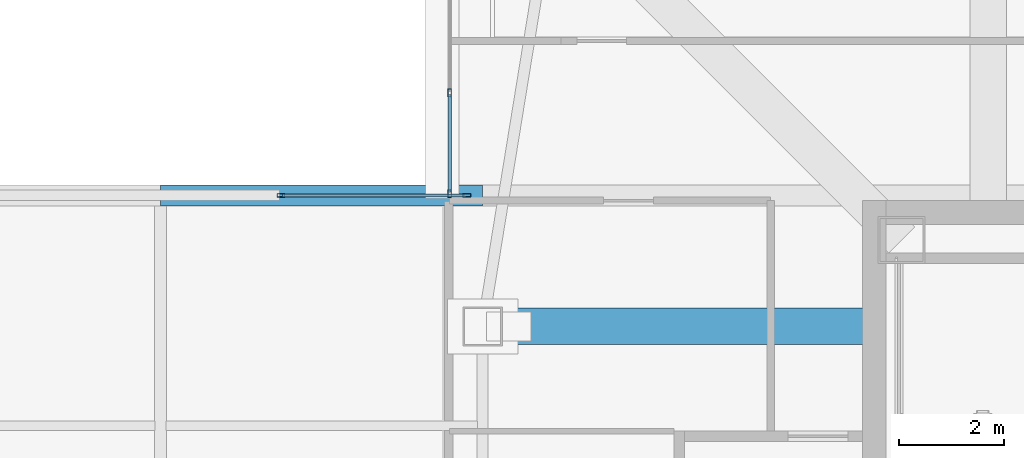
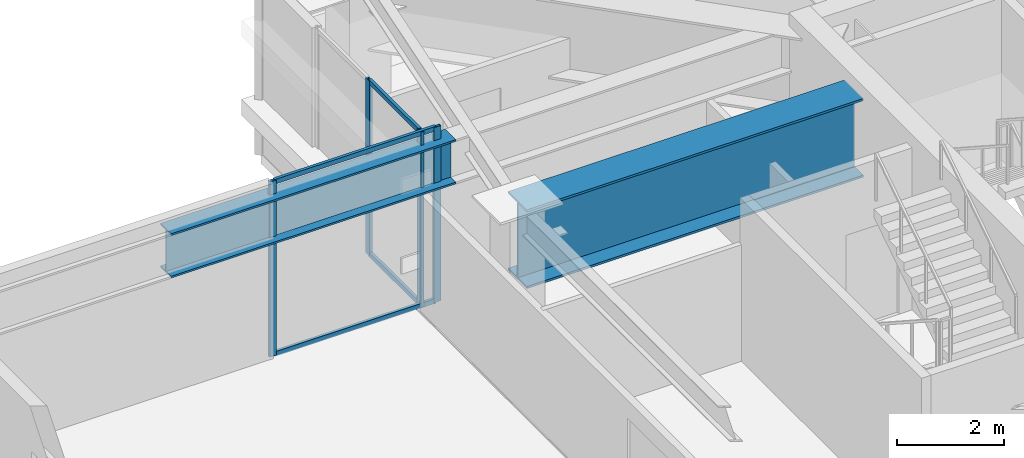
# One storey, part 7 of 51: 8 members, 2 beams, 2 elements without a shape of their own.
"""IFC4 building model written with IfcOpenShell, lengths in metres."""

from ifc_helpers import new_model, si_unit, direction, frame, origin, origin_2d, place, context, subcontext, project, spatial, hollow_rectangle, i_section, extrude, material, material_profile, profile_set, type_object, element, aggregate, save


model = new_model("IFC4")

# Units and contexts
model_context = context("Model", 3, precision=1e-05, world=origin(), true_north=direction((0.0, 1.0)))
body_context = subcontext(model_context, "Body", "Model", "MODEL_VIEW")
ifc_project = project(units=[si_unit("LENGTHUNIT", "METRE"), si_unit("AREAUNIT", "SQUARE_METRE"), si_unit("VOLUMEUNIT", "CUBIC_METRE"), si_unit("PLANEANGLEUNIT", "RADIAN"), si_unit("MASSUNIT", "GRAM", prefix="KILO")], contexts=[model_context])

# Site, building, storey
site_placement = place(None, origin())
site = spatial("IfcSite", under=ifc_project, at=site_placement, CompositionType="ELEMENT")
building_placement = place(site_placement, origin())
building = spatial("IfcBuilding", under=site, at=building_placement, Name="Tashvorn Skyway Center", CompositionType="ELEMENT")
storey_placement = place(building_placement, frame((0.0, 0.0, 259.39990234375)))
storey = spatial("IfcBuildingStorey", under=building, at=storey_placement, Name="L70", CompositionType="ELEMENT", Elevation=259.39990234375)

# Beams
ifc_material_1 = material(Name="Steel ASTM A572 Grade 50", Category="steel")
ifc_material_profile_1 = material_profile(ifc_material_1, i_section(OverallWidth=0.699951171875, OverallDepth=1.800048828125, WebThickness=0.031982421875, FlangeThickness=0.050048828125, at=origin_2d()), Name="PG1800x700")
ifc_profile_set_1 = profile_set([ifc_material_profile_1], Name="Steel ASTM A572 Grade 50")
beam_type_1 = type_object("IfcBeamType", Name="BM-BEAM-PG1800x700", PredefinedType="BEAM", material=ifc_profile_set_1)
beam_1_placement = place(storey_placement, frame((26.949951171875, 37.39990234375, 2.800048828125), z_axis=(1.0, 0.0, 0.0), x_axis=(0.0, 1.0, 0.0)))
element("IfcBeam", 1, at=beam_1_placement, inside=storey, type_object=beam_type_1, Name="Tower 1 L70 Setback Transfer Girder FC-W1", PredefinedType="BEAM", context=body_context, shape_type="SweptSolid", body=[
    extrude(i_section(OverallWidth=0.699951171875, OverallDepth=1.800048828125, WebThickness=0.031982421875, FlangeThickness=0.050048828125, at=origin_2d()), origin(), (0.0, 0.0, 1.0), 7.27001953125),
])
ifc_material_2 = material(Name="Steel ASTM A913 Grade 65", Category="steel")
ifc_material_profile_2 = material_profile(ifc_material_2, i_section(OverallWidth=0.40087890625, OverallDepth=1.010986328125, WebThickness=0.023681640625, FlangeThickness=0.0419921875, at=origin_2d()), Name="W40X297")
ifc_profile_set_2 = profile_set([ifc_material_profile_2], Name="Steel ASTM A913 Grade 65")
beam_type_2 = type_object("IfcBeamType", Name="BM-BEAM-W40X297", PredefinedType="BEAM", material=ifc_profile_set_2)
beam_2_placement = place(storey_placement, frame((20.800048828125, 39.89990234375, 3.194580078125), z_axis=(1.0, 0.0, 0.0), x_axis=(0.0, 1.0, 0.0)))
element("IfcBeam", 2, at=beam_2_placement, inside=storey, type_object=beam_type_2, Name="Sky-Park Truss 2 Top Chord Panel 04", PredefinedType="BEAM", context=body_context, shape_type="SweptSolid", body=[
    extrude(i_section(OverallWidth=0.40087890625, OverallDepth=1.010986328125, WebThickness=0.023681640625, FlangeThickness=0.0419921875, at=origin_2d()), origin(), (0.0, 0.0, 1.0), 6.14990234375),
])

# Curtain wall, members
ifc_material_3 = material(Name="Thermally broken bronze-anodized aluminium 6063-T6", Category="aluminium")
curtain_wall_type = type_object("IfcCurtainWallType", Name="CW-CW-SKY", PredefinedType="NOTDEFINED", material=ifc_material_3)
curtain_wall_1_placement = place(storey_placement, origin())
curtain_wall_1 = element("IfcCurtainWall", 3, at=curtain_wall_1_placement, inside=storey, type_object=curtain_wall_type, Name="Tower 1 L70 West Curtain Wall B Glazing Group 1", PredefinedType="NOTDEFINED")
ifc_material_profile_3 = material_profile(ifc_material_3, hollow_rectangle(XDim=0.06494140625, YDim=0.14990234375, WallThickness=0.00390625, at=origin_2d()), Name="ALU-MULL-65x150")
ifc_profile_set_3 = profile_set([ifc_material_profile_3], Name="Thermally broken bronze-anodized aluminium 6063-T6")
member_type_1 = type_object("IfcMemberType", Name="CWM-CW-SKY", PredefinedType="MULLION", material=ifc_profile_set_3)
member_1_placement = place(storey_placement, frame((26.320068359375, 39.9326171875, 0.0), z_axis=(0.0, 0.0, 1.0), x_axis=(-1.0, 0.0, 0.0)))
member_1 = element("IfcMember", 4, at=member_1_placement, type_object=member_type_1, Name="CW-SKY mullion 1", PredefinedType="MULLION", context=body_context, shape_type="SweptSolid", body=[
    extrude(hollow_rectangle(XDim=0.06494140625, YDim=0.14990234375, WallThickness=0.00390625, at=origin_2d()), origin(), (0.0, 0.0, 1.0), 4.0),
])
member_2_placement = place(storey_placement, frame((26.320068359375, 41.860107421875, 0.0), z_axis=(0.0, 0.0, 1.0), x_axis=(-1.0, 0.0, 0.0)))
member_2 = element("IfcMember", 5, at=member_2_placement, type_object=member_type_1, Name="CW-SKY mullion 2", PredefinedType="MULLION", context=body_context, shape_type="SweptSolid", body=[
    extrude(hollow_rectangle(XDim=0.06494140625, YDim=0.14990234375, WallThickness=0.00390625, at=origin_2d()), origin(), (0.0, 0.0, 1.0), 4.0),
])

curtain_wall_2_placement = place(storey_placement, origin())
curtain_wall_2 = element("IfcCurtainWall", 6, at=curtain_wall_2_placement, inside=storey, type_object=curtain_wall_type, Name="Sky-Park L70 Cantilever Gallery North Curtain Wall Glazing Group 1", PredefinedType="NOTDEFINED")
member_3_placement = place(storey_placement, frame((23.09912109375, 39.89990234375, 0.0), z_axis=(0.0, 0.0, 1.0), x_axis=(0.0, 1.0, 0.0)))
member_3 = element("IfcMember", 7, at=member_3_placement, type_object=member_type_1, Name="CW-SKY mullion 1", PredefinedType="MULLION", context=body_context, shape_type="SweptSolid", body=[
    extrude(hollow_rectangle(XDim=0.06494140625, YDim=0.14990234375, WallThickness=0.00390625, at=origin_2d()), origin(), (0.0, 0.0, 1.0), 4.0),
])
member_4_placement = place(storey_placement, frame((26.6474609375, 39.89990234375, 0.0), z_axis=(0.0, 0.0, 1.0), x_axis=(0.0, 1.0, 0.0)))
member_4 = element("IfcMember", 8, at=member_4_placement, type_object=member_type_1, Name="CW-SKY mullion 2", PredefinedType="MULLION", context=body_context, shape_type="SweptSolid", body=[
    extrude(hollow_rectangle(XDim=0.06494140625, YDim=0.14990234375, WallThickness=0.00390625, at=origin_2d()), origin(), (0.0, 0.0, 1.0), 4.0),
])

# Member
ifc_material_profile_4 = material_profile(ifc_material_3, hollow_rectangle(XDim=0.06494140625, YDim=0.10498046875, WallThickness=0.00390625, at=origin_2d()), Name="ALU-TRAN-65x105")
ifc_profile_set_4 = profile_set([ifc_material_profile_4], Name="Thermally broken bronze-anodized aluminium 6063-T6")
member_type_2 = type_object("IfcMemberType", Name="CWT-CW-SKY", PredefinedType="USERDEFINED", material=ifc_profile_set_4)
member_5_placement = place(storey_placement, frame((26.320068359375, 39.965087890625, 0.03271484375), z_axis=(0.0, 1.0, 0.0), x_axis=(-1.0, 0.0, 0.0)))
member_5 = element("IfcMember", 9, at=member_5_placement, type_object=member_type_2, Name="CW-SKY transom 1.1", ObjectType="TRANSOM", PredefinedType="USERDEFINED", context=body_context, shape_type="SweptSolid", body=[
    extrude(hollow_rectangle(XDim=0.06494140625, YDim=0.10498046875, WallThickness=0.00390625, at=origin_2d()), origin(), (0.0, 0.0, 1.0), 1.8623046875),
])

member_6_placement = place(storey_placement, frame((26.320068359375, 39.965087890625, 3.967529296875), z_axis=(0.0, 1.0, 0.0), x_axis=(-1.0, 0.0, 0.0)))
member_6 = element("IfcMember", 10, at=member_6_placement, type_object=member_type_2, Name="CW-SKY transom 1.2", ObjectType="TRANSOM", PredefinedType="USERDEFINED", context=body_context, shape_type="SweptSolid", body=[
    extrude(hollow_rectangle(XDim=0.06494140625, YDim=0.10498046875, WallThickness=0.00390625, at=origin_2d()), origin(), (0.0, 0.0, 1.0), 1.8623046875),
])

aggregate(curtain_wall_1, [member_1, member_2, member_5, member_6])

member_7_placement = place(storey_placement, frame((23.131591796875, 39.89990234375, 0.03271484375), z_axis=(1.0, 0.0, 0.0), x_axis=(0.0, 1.0, 0.0)))
member_7 = element("IfcMember", 11, at=member_7_placement, type_object=member_type_2, Name="CW-SKY transom 1.1", ObjectType="TRANSOM", PredefinedType="USERDEFINED", context=body_context, shape_type="SweptSolid", body=[
    extrude(hollow_rectangle(XDim=0.06494140625, YDim=0.10498046875, WallThickness=0.00390625, at=origin_2d()), origin(), (0.0, 0.0, 1.0), 3.4833984375),
])

member_8_placement = place(storey_placement, frame((23.131591796875, 39.89990234375, 3.967529296875), z_axis=(1.0, 0.0, 0.0), x_axis=(0.0, 1.0, 0.0)))
member_8 = element("IfcMember", 12, at=member_8_placement, type_object=member_type_2, Name="CW-SKY transom 1.2", ObjectType="TRANSOM", PredefinedType="USERDEFINED", context=body_context, shape_type="SweptSolid", body=[
    extrude(hollow_rectangle(XDim=0.06494140625, YDim=0.10498046875, WallThickness=0.00390625, at=origin_2d()), origin(), (0.0, 0.0, 1.0), 3.4833984375),
])

aggregate(curtain_wall_2, [member_3, member_4, member_7, member_8])

save(model, "model.ifc")
